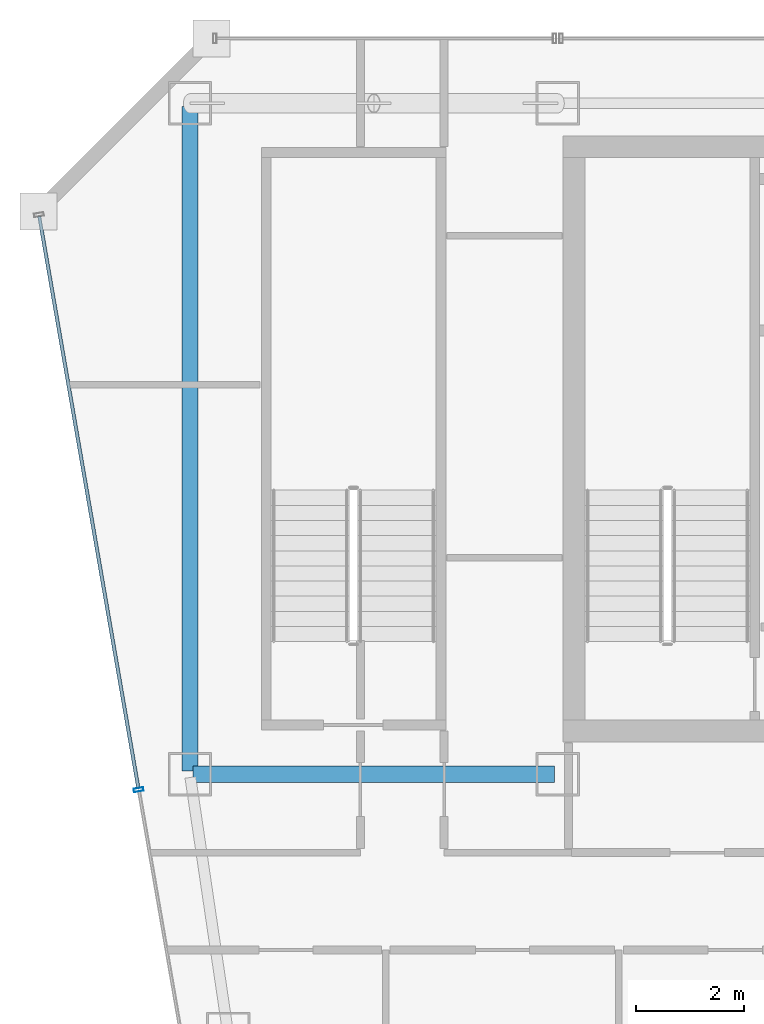
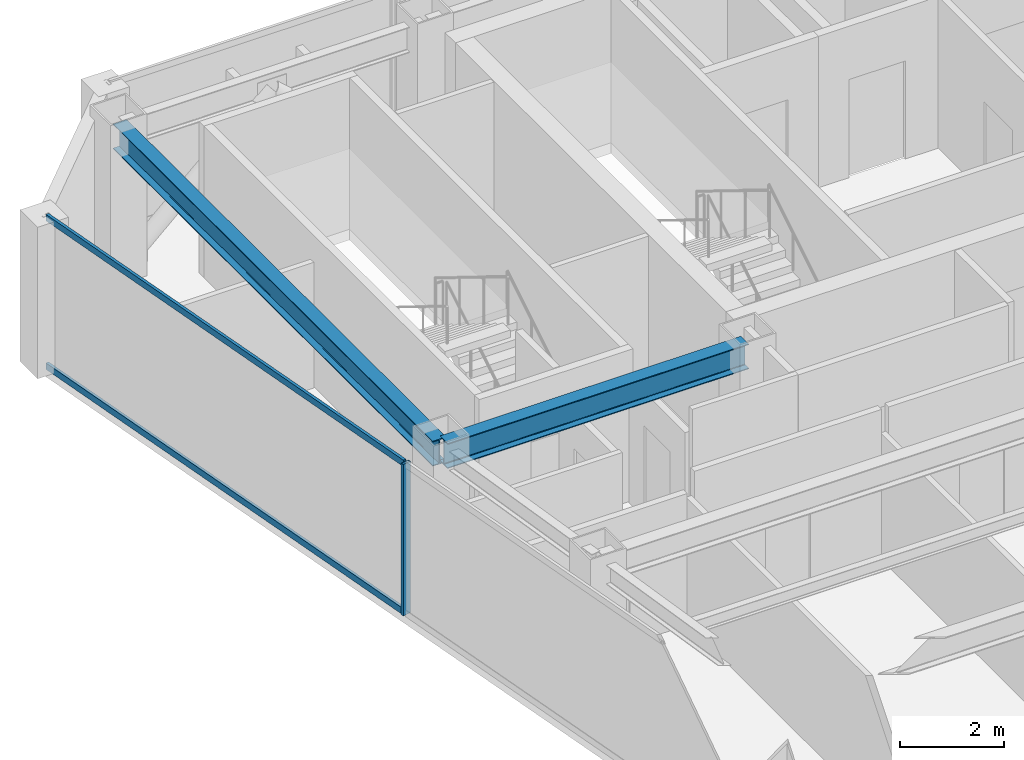
# One storey, part 8 of 33: 3 members, 2 beams, 1 element without a shape of its own.
"""IFC4 building model written with IfcOpenShell, lengths in metres."""

from ifc_helpers import new_model, si_unit, direction, frame, origin, origin_2d, place, context, subcontext, project, spatial, hollow_rectangle, i_section, extrude, material, material_profile, profile_set, type_object, element, aggregate, save


model = new_model("IFC4")

# Units and contexts
model_context = context("Model", 3, precision=1e-05, world=origin(), true_north=direction((0.0, 1.0)))
body_context = subcontext(model_context, "Body", "Model", "MODEL_VIEW")
ifc_project = project(units=[si_unit("LENGTHUNIT", "METRE"), si_unit("AREAUNIT", "SQUARE_METRE"), si_unit("VOLUMEUNIT", "CUBIC_METRE"), si_unit("PLANEANGLEUNIT", "RADIAN"), si_unit("MASSUNIT", "GRAM", prefix="KILO")], contexts=[model_context])

# Site, building, storey
site_placement = place(None, origin())
site = spatial("IfcSite", under=ifc_project, at=site_placement, CompositionType="ELEMENT")
building_placement = place(site_placement, origin())
building = spatial("IfcBuilding", under=site, at=building_placement, Name="Saevonmaru Cultural Tower", CompositionType="ELEMENT")
storey_placement = place(building_placement, frame((0.0, 0.0, 234.39990234375)))
storey = spatial("IfcBuildingStorey", under=building, at=storey_placement, Name="L54", CompositionType="ELEMENT", Elevation=234.39990234375)

# Beams
ifc_material_1 = material(Name="Steel SM355", Category="steel")
ifc_material_profile_1 = material_profile(ifc_material_1, i_section(OverallWidth=0.300048828125, OverallDepth=0.587890625, WebThickness=0.011962890625, FlangeThickness=0.02001953125, FilletRadius=0.02392578125, at=origin_2d()), Name="H-588x300x12x20")
ifc_profile_set_1 = profile_set([ifc_material_profile_1], Name="Steel SM355")
beam_type = type_object("IfcBeamType", Name="BM-G-H588", PredefinedType="BEAM", material=ifc_profile_set_1)
beam_1_placement = place(storey_placement, frame((6.860107421875, 42.39990234375, 3.256103515625), z_axis=(1.0, 0.0, 0.0), x_axis=(0.0, 1.0, 0.0)))
element("IfcBeam", 1, at=beam_1_placement, inside=storey, type_object=beam_type, Name="L54 Core South Girder 1", PredefinedType="BEAM", context=body_context, shape_type="SweptSolid", body=[
    extrude(i_section(OverallWidth=0.300048828125, OverallDepth=0.587890625, WebThickness=0.011962890625, FlangeThickness=0.02001953125, FilletRadius=0.02392578125, at=origin_2d()), origin(), (0.0, 0.0, 1.0), 6.679931640625),
])
beam_2_placement = place(storey_placement, frame((6.800048828125, 54.739990234375, 3.256103515625), z_axis=(0.0, -1.0, 0.0), x_axis=(1.0, 0.0, 0.0)))
element("IfcBeam", 2, at=beam_2_placement, inside=storey, type_object=beam_type, Name="L54 Spine Transverse Girder W", PredefinedType="BEAM", context=body_context, shape_type="SweptSolid", body=[
    extrude(i_section(OverallWidth=0.300048828125, OverallDepth=0.587890625, WebThickness=0.011962890625, FlangeThickness=0.02001953125, FilletRadius=0.02392578125, at=origin_2d()), origin(), (0.0, 0.0, 1.0), 12.280029296875),
])

# Curtain wall, members
ifc_material_2 = material(Name="Satin Bronze Anodised Aluminium", Category="aluminium")
curtain_wall_type = type_object("IfcCurtainWallType", Name="CW-TYP-B", PredefinedType="NOTDEFINED", material=ifc_material_2)
curtain_wall_placement = place(storey_placement, origin())
curtain_wall = element("IfcCurtainWall", 3, at=curtain_wall_placement, inside=storey, type_object=curtain_wall_type, Name="L54 Unitised Curtain Wall E12", PredefinedType="NOTDEFINED")
ifc_material_profile_2 = material_profile(ifc_material_2, hollow_rectangle(XDim=0.06494140625, YDim=0.179931640625, WallThickness=0.00390625, at=origin_2d()), Name="ALU-MULL-180x65x4")
ifc_profile_set_2 = profile_set([ifc_material_profile_2], Name="Satin Bronze Anodised Aluminium")
member_type_1 = type_object("IfcMemberType", Name="ML-CW-180x65", PredefinedType="MULLION", material=ifc_profile_set_2)
member_1_placement = place(storey_placement, frame((5.852294921875, 42.113525390625, 0.0), z_axis=(0.0, 0.0, 1.0), x_axis=(0.170790369887, -0.985307388359, 0.0)))
member_1 = element("IfcMember", 4, at=member_1_placement, type_object=member_type_1, Name="CW-TW-L54-E12 mullion 2", PredefinedType="MULLION", context=body_context, shape_type="SweptSolid", body=[
    extrude(hollow_rectangle(XDim=0.06494140625, YDim=0.179931640625, WallThickness=0.00390625, at=origin_2d()), origin(), (0.0, 0.0, 1.0), 3.550048828125),
])
ifc_material_profile_3 = material_profile(ifc_material_2, hollow_rectangle(XDim=0.06494140625, YDim=0.14990234375, WallThickness=0.00390625, at=origin_2d()), Name="ALU-TRAN-150x65x4")
ifc_profile_set_3 = profile_set([ifc_material_profile_3], Name="Satin Bronze Anodised Aluminium")
member_type_2 = type_object("IfcMemberType", Name="TR-CW-150x65", PredefinedType="USERDEFINED", material=ifc_profile_set_3)
member_2_placement = place(storey_placement, frame((4.015869140625, 52.708984375, 0.03271484375), z_axis=(0.170773163608, -0.985310370691, 0.0), x_axis=(0.985310370691, 0.170773163608, 0.0)))
member_2 = element("IfcMember", 5, at=member_2_placement, type_object=member_type_2, Name="CW-TW-L54-E12 transom 1.1", ObjectType="TRANSOM", PredefinedType="USERDEFINED", context=body_context, shape_type="SweptSolid", body=[
    extrude(hollow_rectangle(XDim=0.06494140625, YDim=0.14990234375, WallThickness=0.00390625, at=origin_2d()), origin(), (0.0, 0.0, 1.0), 10.720703125),
])
member_3_placement = place(storey_placement, frame((4.015869140625, 52.708984375, 3.517578125), z_axis=(0.170773163608, -0.985310370691, 0.0), x_axis=(0.985310370691, 0.170773163608, 0.0)))
member_3 = element("IfcMember", 6, at=member_3_placement, type_object=member_type_2, Name="CW-TW-L54-E12 transom 1.2", ObjectType="TRANSOM", PredefinedType="USERDEFINED", context=body_context, shape_type="SweptSolid", body=[
    extrude(hollow_rectangle(XDim=0.06494140625, YDim=0.14990234375, WallThickness=0.00390625, at=origin_2d()), origin(), (0.0, 0.0, 1.0), 10.720703125),
])
aggregate(curtain_wall, [member_1, member_2, member_3])

save(model, "model.ifc")
